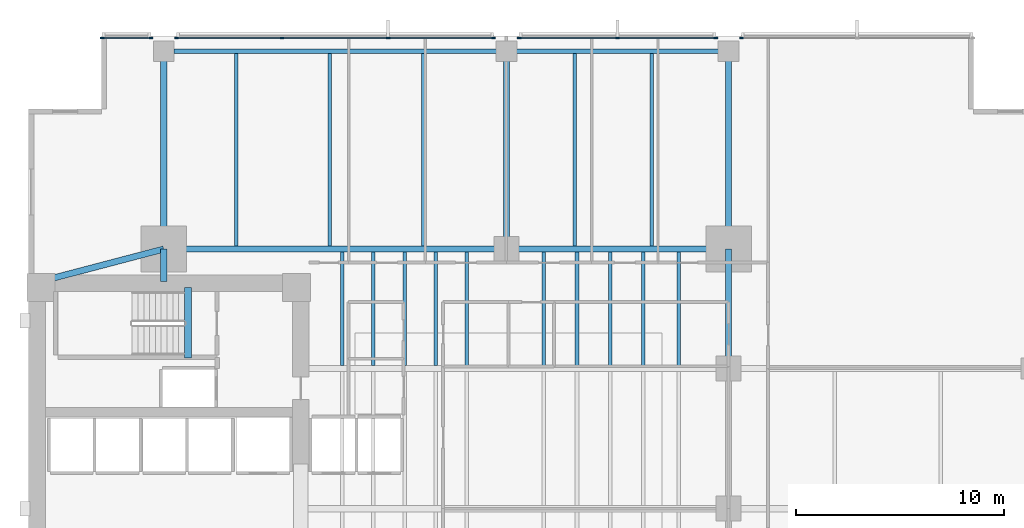
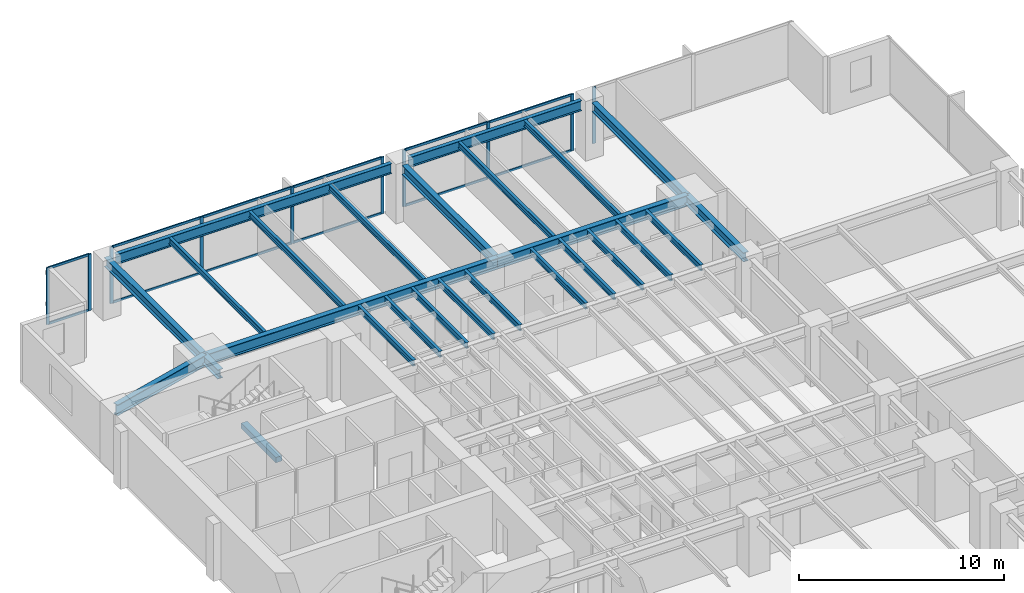
# One storey, part 5 of 15: 26 beams, 22 members, 4 elements without a shape of their own.
"""IFC4 building model written with IfcOpenShell, lengths in metres."""

from ifc_helpers import new_model, si_unit, direction, frame, origin, origin_2d, place, context, subcontext, project, spatial, rectangle, i_section, extrude, material, layer, layer_set, material_profile, profile_set, type_object, element, aggregate, save


model = new_model("IFC4")

# Units and contexts
model_context = context("Model", 3, precision=1e-05, world=origin(), true_north=direction((0.0, 1.0)))
body_context = subcontext(model_context, "Body", "Model", "MODEL_VIEW")
ifc_project = project(units=[si_unit("LENGTHUNIT", "METRE"), si_unit("AREAUNIT", "SQUARE_METRE"), si_unit("VOLUMEUNIT", "CUBIC_METRE"), si_unit("PLANEANGLEUNIT", "RADIAN"), si_unit("MASSUNIT", "GRAM", prefix="KILO")], contexts=[model_context])

# Site, building, storey
site_placement = place(None, origin())
site = spatial("IfcSite", under=ifc_project, at=site_placement, CompositionType="ELEMENT")
building_placement = place(site_placement, origin())
building = spatial("IfcBuilding", under=site, at=building_placement, Name="Kinhvarn Gate Tower", CompositionType="ELEMENT")
storey_placement = place(building_placement, frame((0.0, 0.0, 50.449951171875)))
storey = spatial("IfcBuildingStorey", under=building, at=storey_placement, Name="L12", CompositionType="ELEMENT", Elevation=50.449951171875)

# Beam
ifc_material_1 = material(Name="Concrete C50/60", Category="concrete")
ifc_material_profile_1 = material_profile(ifc_material_1, rectangle(XDim=0.340087890625, YDim=0.320068359375, at=origin_2d()), Name="RC 340x320")
ifc_profile_set_1 = profile_set([ifc_material_profile_1], Name="Concrete C50/60")
beam_type_1 = type_object("IfcBeamType", Name="BM-LND-500", PredefinedType="BEAM", material=ifc_profile_set_1)
beam_1_placement = place(storey_placement, frame((12.1650390625, 32.5, -0.159912109375), z_axis=(0.0, 1.0, 0.0), x_axis=(-1.0, 0.0, 0.0)))
element("IfcBeam", 1, at=beam_1_placement, inside=storey, type_object=beam_type_1, Name="Stair ST2 Landing Nosing Beam (L12)", PredefinedType="BEAM", context=body_context, shape_type="SweptSolid", body=[
    extrude(rectangle(XDim=0.340087890625, YDim=0.320068359375, at=origin_2d()), origin(), (0.0, 0.0, 1.0), 3.39990234375),
])

# Curtain wall, member
ifc_material_2 = material(Name="Anodised aluminium AW-6063", Category="aluminium")
ifc_layer = layer(ifc_material_2, 0.179931640625)
ifc_layer_set = layer_set([ifc_layer], Name="Anodised aluminium AW-6063")
curtain_wall_type = type_object("IfcCurtainWallType", Name="CW-SYS-2", PredefinedType="NOTDEFINED", material=ifc_layer_set)
curtain_wall_1_placement = place(storey_placement, origin())
curtain_wall_1 = element("IfcCurtainWall", 2, at=curtain_wall_1_placement, inside=storey, type_object=curtain_wall_type, Name="Curtain Wall CW2 (L12)", PredefinedType="NOTDEFINED")
ifc_material_profile_2 = material_profile(ifc_material_2, rectangle(XDim=0.070068359375, YDim=0.179931640625, at=origin_2d()), Name="ALU 70x180")
ifc_profile_set_2 = profile_set([ifc_material_profile_2], Name="Anodised aluminium AW-6063")
member_type_1 = type_object("IfcMemberType", Name="CW-MUL-180", PredefinedType="MULLION", material=ifc_profile_set_2)
member_1_placement = place(storey_placement, frame((38.81494140625, 47.909912109375, 0.0), z_axis=(0.0, 0.0, 1.0), x_axis=(0.0, -1.0, 0.0)))
member_1 = element("IfcMember", 3, at=member_1_placement, type_object=member_type_1, Name="CW2 mullion 3", PredefinedType="MULLION", context=body_context, shape_type="SweptSolid", body=[
    extrude(rectangle(XDim=0.070068359375, YDim=0.179931640625, at=origin_2d()), origin(), (0.0, 0.0, 1.0), 3.3701171875),
])
aggregate(curtain_wall_1, [member_1])

# Curtain wall, members
curtain_wall_2_placement = place(storey_placement, origin())
curtain_wall_2 = element("IfcCurtainWall", 4, at=curtain_wall_2_placement, inside=storey, type_object=curtain_wall_type, Name="Curtain Wall CW2 (L12)", PredefinedType="NOTDEFINED")
member_2_placement = place(storey_placement, frame((37.5849609375, 47.909912109375, 0.0), z_axis=(0.0, 0.0, 1.0), x_axis=(0.0, -1.0, 0.0)))
member_2 = element("IfcMember", 5, at=member_2_placement, type_object=member_type_1, Name="CW2 mullion 1", PredefinedType="MULLION", context=body_context, shape_type="SweptSolid", body=[
    extrude(rectangle(XDim=0.070068359375, YDim=0.179931640625, at=origin_2d()), origin(), (0.0, 0.0, 1.0), 3.3701171875),
])
member_3_placement = place(storey_placement, frame((32.85009765625, 47.909912109375, 0.0), z_axis=(0.0, 0.0, 1.0), x_axis=(0.0, -1.0, 0.0)))
member_3 = element("IfcMember", 6, at=member_3_placement, type_object=member_type_1, Name="CW2 mullion 2", PredefinedType="MULLION", context=body_context, shape_type="SweptSolid", body=[
    extrude(rectangle(XDim=0.070068359375, YDim=0.179931640625, at=origin_2d()), origin(), (0.0, 0.0, 1.0), 3.3701171875),
])
member_4_placement = place(storey_placement, frame((28.114990234375, 47.909912109375, 0.0), z_axis=(0.0, 0.0, 1.0), x_axis=(0.0, -1.0, 0.0)))
member_4 = element("IfcMember", 7, at=member_4_placement, type_object=member_type_1, Name="CW2 mullion 3", PredefinedType="MULLION", context=body_context, shape_type="SweptSolid", body=[
    extrude(rectangle(XDim=0.070068359375, YDim=0.179931640625, at=origin_2d()), origin(), (0.0, 0.0, 1.0), 3.3701171875),
])

curtain_wall_3_placement = place(storey_placement, origin())
curtain_wall_3 = element("IfcCurtainWall", 8, at=curtain_wall_3_placement, inside=storey, type_object=curtain_wall_type, Name="Curtain Wall CW2 (L12)", PredefinedType="NOTDEFINED")
member_5_placement = place(storey_placement, frame((26.885009765625, 47.909912109375, 0.0), z_axis=(0.0, 0.0, 1.0), x_axis=(0.0, -1.0, 0.0)))
member_5 = element("IfcMember", 9, at=member_5_placement, type_object=member_type_1, Name="CW2 mullion 1", PredefinedType="MULLION", context=body_context, shape_type="SweptSolid", body=[
    extrude(rectangle(XDim=0.070068359375, YDim=0.179931640625, at=origin_2d()), origin(), (0.0, 0.0, 1.0), 3.3701171875),
])
member_6_placement = place(storey_placement, frame((21.806640625, 47.909912109375, 0.0), z_axis=(0.0, 0.0, 1.0), x_axis=(0.0, -1.0, 0.0)))
member_6 = element("IfcMember", 10, at=member_6_placement, type_object=member_type_1, Name="CW2 mullion 2", PredefinedType="MULLION", context=body_context, shape_type="SweptSolid", body=[
    extrude(rectangle(XDim=0.070068359375, YDim=0.179931640625, at=origin_2d()), origin(), (0.0, 0.0, 1.0), 3.3701171875),
])
member_7_placement = place(storey_placement, frame((16.693359375, 47.909912109375, 0.0), z_axis=(0.0, 0.0, 1.0), x_axis=(0.0, -1.0, 0.0)))
member_7 = element("IfcMember", 11, at=member_7_placement, type_object=member_type_1, Name="CW2 mullion 3", PredefinedType="MULLION", context=body_context, shape_type="SweptSolid", body=[
    extrude(rectangle(XDim=0.070068359375, YDim=0.179931640625, at=origin_2d()), origin(), (0.0, 0.0, 1.0), 3.3701171875),
])
member_8_placement = place(storey_placement, frame((11.614990234375, 47.909912109375, 0.0), z_axis=(0.0, 0.0, 1.0), x_axis=(0.0, -1.0, 0.0)))
member_8 = element("IfcMember", 12, at=member_8_placement, type_object=member_type_1, Name="CW2 mullion 4", PredefinedType="MULLION", context=body_context, shape_type="SweptSolid", body=[
    extrude(rectangle(XDim=0.070068359375, YDim=0.179931640625, at=origin_2d()), origin(), (0.0, 0.0, 1.0), 3.3701171875),
])

curtain_wall_4_placement = place(storey_placement, origin())
curtain_wall_4 = element("IfcCurtainWall", 13, at=curtain_wall_4_placement, inside=storey, type_object=curtain_wall_type, Name="Curtain Wall CW2 (L12)", PredefinedType="NOTDEFINED")
member_9_placement = place(storey_placement, frame((10.385009765625, 47.909912109375, 0.0), z_axis=(0.0, 0.0, 1.0), x_axis=(0.0, -1.0, 0.0)))
member_9 = element("IfcMember", 14, at=member_9_placement, type_object=member_type_1, Name="CW2 mullion 1", PredefinedType="MULLION", context=body_context, shape_type="SweptSolid", body=[
    extrude(rectangle(XDim=0.070068359375, YDim=0.179931640625, at=origin_2d()), origin(), (0.0, 0.0, 1.0), 3.3701171875),
])
member_10_placement = place(storey_placement, frame((8.034912109375, 47.909912109375, 0.0), z_axis=(0.0, 0.0, 1.0), x_axis=(0.0, -1.0, 0.0)))
member_10 = element("IfcMember", 15, at=member_10_placement, type_object=member_type_1, Name="CW2 mullion 2", PredefinedType="MULLION", context=body_context, shape_type="SweptSolid", body=[
    extrude(rectangle(XDim=0.070068359375, YDim=0.179931640625, at=origin_2d()), origin(), (0.0, 0.0, 1.0), 3.3701171875),
])

# Member
ifc_material_profile_3 = material_profile(ifc_material_2, rectangle(XDim=0.070068359375, YDim=0.139892578125, at=origin_2d()), Name="ALU 70x140")
ifc_profile_set_3 = profile_set([ifc_material_profile_3], Name="Anodised aluminium AW-6063")
member_type_2 = type_object("IfcMemberType", Name="CW-TRN-140", PredefinedType="USERDEFINED", material=ifc_profile_set_3)
member_11_placement = place(storey_placement, frame((37.550048828125, 47.909912109375, 0.03515625), z_axis=(-1.0, 0.0, 0.0), x_axis=(0.0, -1.0, 0.0)))
member_11 = element("IfcMember", 16, at=member_11_placement, type_object=member_type_2, Name="CW2 transom 1.1", ObjectType="TRANSOM", PredefinedType="USERDEFINED", context=body_context, shape_type="SweptSolid", body=[
    extrude(rectangle(XDim=0.070068359375, YDim=0.139892578125, at=origin_2d()), origin(), (0.0, 0.0, 1.0), 4.6650390625),
])

member_12_placement = place(storey_placement, frame((37.550048828125, 47.909912109375, 3.3349609375), z_axis=(-1.0, 0.0, 0.0), x_axis=(0.0, -1.0, 0.0)))
member_12 = element("IfcMember", 17, at=member_12_placement, type_object=member_type_2, Name="CW2 transom 1.2", ObjectType="TRANSOM", PredefinedType="USERDEFINED", context=body_context, shape_type="SweptSolid", body=[
    extrude(rectangle(XDim=0.070068359375, YDim=0.139892578125, at=origin_2d()), origin(), (0.0, 0.0, 1.0), 4.6650390625),
])

member_13_placement = place(storey_placement, frame((32.81494140625, 47.909912109375, 0.03515625), z_axis=(-1.0, 0.0, 0.0), x_axis=(0.0, -1.0, 0.0)))
member_13 = element("IfcMember", 18, at=member_13_placement, type_object=member_type_2, Name="CW2 transom 2.1", ObjectType="TRANSOM", PredefinedType="USERDEFINED", context=body_context, shape_type="SweptSolid", body=[
    extrude(rectangle(XDim=0.070068359375, YDim=0.139892578125, at=origin_2d()), origin(), (0.0, 0.0, 1.0), 4.6650390625),
])

member_14_placement = place(storey_placement, frame((32.81494140625, 47.909912109375, 3.3349609375), z_axis=(-1.0, 0.0, 0.0), x_axis=(0.0, -1.0, 0.0)))
member_14 = element("IfcMember", 19, at=member_14_placement, type_object=member_type_2, Name="CW2 transom 2.2", ObjectType="TRANSOM", PredefinedType="USERDEFINED", context=body_context, shape_type="SweptSolid", body=[
    extrude(rectangle(XDim=0.070068359375, YDim=0.139892578125, at=origin_2d()), origin(), (0.0, 0.0, 1.0), 4.6650390625),
])

aggregate(curtain_wall_2, [member_2, member_3, member_4, member_11, member_12, member_13, member_14])

member_15_placement = place(storey_placement, frame((26.85009765625, 47.909912109375, 0.03515625), z_axis=(-1.0, 0.0, 0.0), x_axis=(0.0, -1.0, 0.0)))
member_15 = element("IfcMember", 20, at=member_15_placement, type_object=member_type_2, Name="CW2 transom 1.1", ObjectType="TRANSOM", PredefinedType="USERDEFINED", context=body_context, shape_type="SweptSolid", body=[
    extrude(rectangle(XDim=0.070068359375, YDim=0.139892578125, at=origin_2d()), origin(), (0.0, 0.0, 1.0), 5.008544921875),
])

member_16_placement = place(storey_placement, frame((26.85009765625, 47.909912109375, 3.3349609375), z_axis=(-1.0, 0.0, 0.0), x_axis=(0.0, -1.0, 0.0)))
member_16 = element("IfcMember", 21, at=member_16_placement, type_object=member_type_2, Name="CW2 transom 1.2", ObjectType="TRANSOM", PredefinedType="USERDEFINED", context=body_context, shape_type="SweptSolid", body=[
    extrude(rectangle(XDim=0.070068359375, YDim=0.139892578125, at=origin_2d()), origin(), (0.0, 0.0, 1.0), 5.008544921875),
])

member_17_placement = place(storey_placement, frame((21.771728515625, 47.909912109375, 0.03515625), z_axis=(-1.0, 0.0, 0.0), x_axis=(0.0, -1.0, 0.0)))
member_17 = element("IfcMember", 22, at=member_17_placement, type_object=member_type_2, Name="CW2 transom 2.1", ObjectType="TRANSOM", PredefinedType="USERDEFINED", context=body_context, shape_type="SweptSolid", body=[
    extrude(rectangle(XDim=0.070068359375, YDim=0.139892578125, at=origin_2d()), origin(), (0.0, 0.0, 1.0), 5.04345703125),
])

member_18_placement = place(storey_placement, frame((21.771728515625, 47.909912109375, 3.3349609375), z_axis=(-1.0, 0.0, 0.0), x_axis=(0.0, -1.0, 0.0)))
member_18 = element("IfcMember", 23, at=member_18_placement, type_object=member_type_2, Name="CW2 transom 2.2", ObjectType="TRANSOM", PredefinedType="USERDEFINED", context=body_context, shape_type="SweptSolid", body=[
    extrude(rectangle(XDim=0.070068359375, YDim=0.139892578125, at=origin_2d()), origin(), (0.0, 0.0, 1.0), 5.04345703125),
])

member_19_placement = place(storey_placement, frame((16.658447265625, 47.909912109375, 0.03515625), z_axis=(-1.0, 0.0, 0.0), x_axis=(0.0, -1.0, 0.0)))
member_19 = element("IfcMember", 24, at=member_19_placement, type_object=member_type_2, Name="CW2 transom 3.1", ObjectType="TRANSOM", PredefinedType="USERDEFINED", context=body_context, shape_type="SweptSolid", body=[
    extrude(rectangle(XDim=0.070068359375, YDim=0.139892578125, at=origin_2d()), origin(), (0.0, 0.0, 1.0), 5.008544921875),
])

member_20_placement = place(storey_placement, frame((16.658447265625, 47.909912109375, 3.3349609375), z_axis=(-1.0, 0.0, 0.0), x_axis=(0.0, -1.0, 0.0)))
member_20 = element("IfcMember", 25, at=member_20_placement, type_object=member_type_2, Name="CW2 transom 3.2", ObjectType="TRANSOM", PredefinedType="USERDEFINED", context=body_context, shape_type="SweptSolid", body=[
    extrude(rectangle(XDim=0.070068359375, YDim=0.139892578125, at=origin_2d()), origin(), (0.0, 0.0, 1.0), 5.008544921875),
])

aggregate(curtain_wall_3, [member_5, member_6, member_7, member_8, member_15, member_16, member_17, member_18, member_19, member_20])

member_21_placement = place(storey_placement, frame((10.35009765625, 47.909912109375, 0.03515625), z_axis=(-1.0, 0.0, 0.0), x_axis=(0.0, -1.0, 0.0)))
member_21 = element("IfcMember", 26, at=member_21_placement, type_object=member_type_2, Name="CW2 transom 1.1", ObjectType="TRANSOM", PredefinedType="USERDEFINED", context=body_context, shape_type="SweptSolid", body=[
    extrude(rectangle(XDim=0.070068359375, YDim=0.139892578125, at=origin_2d()), origin(), (0.0, 0.0, 1.0), 2.280029296875),
])

member_22_placement = place(storey_placement, frame((10.35009765625, 47.909912109375, 3.3349609375), z_axis=(-1.0, 0.0, 0.0), x_axis=(0.0, -1.0, 0.0)))
member_22 = element("IfcMember", 27, at=member_22_placement, type_object=member_type_2, Name="CW2 transom 1.2", ObjectType="TRANSOM", PredefinedType="USERDEFINED", context=body_context, shape_type="SweptSolid", body=[
    extrude(rectangle(XDim=0.070068359375, YDim=0.139892578125, at=origin_2d()), origin(), (0.0, 0.0, 1.0), 2.280029296875),
])

aggregate(curtain_wall_4, [member_9, member_10, member_21, member_22])

# Beams
ifc_material_3 = material(Name="Steel S355", Category="steel")
ifc_material_profile_4 = material_profile(ifc_material_3, i_section(OverallWidth=0.300048828125, OverallDepth=0.550048828125, WebThickness=0.014892578125, FlangeThickness=0.029052734375, at=origin_2d()), Name="HEB 550")
ifc_profile_set_4 = profile_set([ifc_material_profile_4], Name="Steel S355")
beam_type_2 = type_object("IfcBeamType", Name="STL-HEB550", PredefinedType="BEAM", material=ifc_profile_set_4)
beam_2_placement = place(storey_placement, frame((11.0, 36.199951171875, 3.094970703125), z_axis=(0.0, 1.0, 0.0), x_axis=(-1.0, 0.0, 0.0)))
element("IfcBeam", 28, at=beam_2_placement, inside=storey, type_object=beam_type_2, Name="Floor Beam PG-15 (L12 MCW-CN)", PredefinedType="BEAM", context=body_context, shape_type="SweptSolid", body=[
    extrude(i_section(OverallWidth=0.300048828125, OverallDepth=0.550048828125, WebThickness=0.014892578125, FlangeThickness=0.029052734375, at=origin_2d()), origin(), (0.0, 0.0, 1.0), 1.550048828125),
])
beam_3_placement = place(storey_placement, frame((11.0, 37.75, 3.094970703125), z_axis=(0.0, 1.0, 0.0), x_axis=(-1.0, 0.0, 0.0)))
element("IfcBeam", 29, at=beam_3_placement, inside=storey, type_object=beam_type_2, Name="Floor Beam PG-15 (L12 MCW-N)", PredefinedType="BEAM", context=body_context, shape_type="SweptSolid", body=[
    extrude(i_section(OverallWidth=0.300048828125, OverallDepth=0.550048828125, WebThickness=0.014892578125, FlangeThickness=0.029052734375, at=origin_2d()), origin(), (0.0, 0.0, 1.0), 9.530029296875),
])
for number, where, z_axis, x_axis, name in (
    (30, (27.5, 37.75, 3.094970703125), (0.0, 1.0, 0.0), (-1.0, 0.0, 0.0), "Floor Beam PG-15 (L12 SP27-N-TIE)"),
    (31, (38.199951171875, 37.75, 3.094970703125), (0.0, 1.0, 0.0), (-1.0, 0.0, 0.0), "Floor Beam PG-15 (L12 MCE-N)"),
):
    element("IfcBeam", number, at=place(storey_placement, frame(where, z_axis=z_axis, x_axis=x_axis)), inside=storey, type_object=beam_type_2, Name=name, PredefinedType="BEAM", context=body_context, shape_type="SweptSolid", body=[
        extrude(i_section(OverallWidth=0.300048828125, OverallDepth=0.550048828125, WebThickness=0.014892578125, FlangeThickness=0.029052734375, at=origin_2d()), origin(), (0.0, 0.0, 1.0), 9.044921875),
    ])
beam_4_placement = place(storey_placement, frame((38.199951171875, 32.0, 3.094970703125), z_axis=(0.0, 1.0, 0.0), x_axis=(-1.0, 0.0, 0.0)))
element("IfcBeam", 32, at=beam_4_placement, inside=storey, type_object=beam_type_2, Name="Floor Beam PG-15 (L12 MG-E-32)", PredefinedType="BEAM", context=body_context, shape_type="SweptSolid", body=[
    extrude(i_section(OverallWidth=0.300048828125, OverallDepth=0.550048828125, WebThickness=0.014892578125, FlangeThickness=0.029052734375, at=origin_2d()), origin(), (0.0, 0.0, 1.0), 5.75),
])
ifc_material_profile_5 = material_profile(ifc_material_3, i_section(OverallWidth=0.300048828125, OverallDepth=0.64990234375, WebThickness=0.01611328125, FlangeThickness=0.031005859375, at=origin_2d()), Name="HEB 650")
ifc_profile_set_5 = profile_set([ifc_material_profile_5], Name="Steel S355")
beam_type_3 = type_object("IfcBeamType", Name="STL-HEB650", PredefinedType="BEAM", material=ifc_profile_set_5)
beam_5_placement = place(storey_placement, frame((11.0, 37.75, 3.045166015625), z_axis=(1.0, 0.0, 0.0), x_axis=(0.0, 1.0, 0.0)))
element("IfcBeam", 33, at=beam_5_placement, inside=storey, type_object=beam_type_3, Name="Floor Beam PG-17 (L12 MG-N1)", PredefinedType="BEAM", context=body_context, shape_type="SweptSolid", body=[
    extrude(i_section(OverallWidth=0.300048828125, OverallDepth=0.64990234375, WebThickness=0.01611328125, FlangeThickness=0.031005859375, at=origin_2d()), origin(), (0.0, 0.0, 1.0), 16.5),
])
beam_6_placement = place(storey_placement, frame((27.5, 37.75, 3.045166015625), z_axis=(1.0, 0.0, 0.0), x_axis=(0.0, 1.0, 0.0)))
element("IfcBeam", 34, at=beam_6_placement, inside=storey, type_object=beam_type_3, Name="Floor Beam PG-17 (L12 MG-N2)", PredefinedType="BEAM", context=body_context, shape_type="SweptSolid", body=[
    extrude(i_section(OverallWidth=0.300048828125, OverallDepth=0.64990234375, WebThickness=0.01611328125, FlangeThickness=0.031005859375, at=origin_2d()), origin(), (0.0, 0.0, 1.0), 10.699951171875),
])
beam_7_placement = place(storey_placement, frame((5.10009765625, 36.199951171875, 3.045166015625), z_axis=(0.967177623957, 0.254101246979, 0.0), x_axis=(-0.254101246979, 0.967177623957, 0.0)))
element("IfcBeam", 35, at=beam_7_placement, inside=storey, type_object=beam_type_3, Name="Floor Beam PG-17 (L12 MG-NW-DIAG)", PredefinedType="BEAM", context=body_context, shape_type="SweptSolid", body=[
    extrude(i_section(OverallWidth=0.300048828125, OverallDepth=0.64990234375, WebThickness=0.01611328125, FlangeThickness=0.031005859375, at=origin_2d()), origin(), (0.0, 0.0, 1.0), 6.10009765625),
])
ifc_material_profile_6 = material_profile(ifc_material_3, i_section(OverallWidth=0.169921875, OverallDepth=0.360107421875, WebThickness=0.008056640625, FlangeThickness=0.0126953125, at=origin_2d()), Name="IPE 360")
ifc_profile_set_6 = profile_set([ifc_material_profile_6], Name="Steel S355")
beam_type_4 = type_object("IfcBeamType", Name="STL-IPE360", PredefinedType="JOIST", material=ifc_profile_set_6)
for number, where, z_axis, x_axis, name in (
    (36, (19.60009765625, 32.14990234375, 3.18994140625), (0.0, 1.0, 0.0), (-1.0, 0.0, 0.0), "Floor Joist SB-04 (L12 JC-X196-3)"),
    (37, (21.10009765625, 32.14990234375, 3.18994140625), (0.0, 1.0, 0.0), (-1.0, 0.0, 0.0), "Floor Joist SB-04 (L12 JC-X211-3)"),
    (38, (22.60009765625, 32.14990234375, 3.18994140625), (0.0, 1.0, 0.0), (-1.0, 0.0, 0.0), "Floor Joist SB-04 (L12 JC-X226-3)"),
    (39, (24.10009765625, 32.14990234375, 3.18994140625), (0.0, 1.0, 0.0), (-1.0, 0.0, 0.0), "Floor Joist SB-04 (L12 JC-X241-3)"),
    (40, (25.60009765625, 32.14990234375, 3.18994140625), (0.0, 1.0, 0.0), (-1.0, 0.0, 0.0), "Floor Joist SB-04 (L12 JC-X256-3)"),
    (41, (29.300048828125, 32.14990234375, 3.18994140625), (0.0, 1.0, 0.0), (-1.0, 0.0, 0.0), "Floor Joist SB-04 (L12 JC-X293-3)"),
    (42, (30.89990234375, 32.14990234375, 3.18994140625), (0.0, 1.0, 0.0), (-1.0, 0.0, 0.0), "Floor Joist SB-04 (L12 JC-X309-3)"),
    (43, (32.5, 32.14990234375, 3.18994140625), (0.0, 1.0, 0.0), (-1.0, 0.0, 0.0), "Floor Joist SB-04 (L12 JC-X325-3)"),
    (44, (34.10009765625, 32.14990234375, 3.18994140625), (0.0, 1.0, 0.0), (-1.0, 0.0, 0.0), "Floor Joist SB-04 (L12 JC-X341-3)"),
    (45, (35.800048828125, 32.14990234375, 3.18994140625), (0.0, 1.0, 0.0), (-1.0, 0.0, 0.0), "Floor Joist SB-04 (L12 JC-X358-3)"),
):
    element("IfcBeam", number, at=place(storey_placement, frame(where, z_axis=z_axis, x_axis=x_axis)), inside=storey, type_object=beam_type_4, Name=name, PredefinedType="JOIST", context=body_context, shape_type="SweptSolid", body=[
        extrude(i_section(OverallWidth=0.169921875, OverallDepth=0.360107421875, WebThickness=0.008056640625, FlangeThickness=0.0126953125, at=origin_2d()), origin(), (0.0, 0.0, 1.0), 5.4501953125),
    ])
for number, where, z_axis, x_axis, name in (
    (46, (14.5, 37.89990234375, 3.18994140625), (0.0, 1.0, 0.0), (-1.0, 0.0, 0.0), "Floor Joist SB-04 (L12 JN-X145)"),
    (47, (19.0, 37.89990234375, 3.18994140625), (0.0, 1.0, 0.0), (-1.0, 0.0, 0.0), "Floor Joist SB-04 (L12 JN-X190)"),
    (48, (23.5, 37.89990234375, 3.18994140625), (0.0, 1.0, 0.0), (-1.0, 0.0, 0.0), "Floor Joist SB-04 (L12 JN-X235)"),
    (49, (30.800048828125, 37.89990234375, 3.18994140625), (0.0, 1.0, 0.0), (-1.0, 0.0, 0.0), "Floor Joist SB-04 (L12 JN-X308)"),
    (50, (34.5, 37.89990234375, 3.18994140625), (0.0, 1.0, 0.0), (-1.0, 0.0, 0.0), "Floor Joist SB-04 (L12 JN-X345)"),
):
    element("IfcBeam", number, at=place(storey_placement, frame(where, z_axis=z_axis, x_axis=x_axis)), inside=storey, type_object=beam_type_4, Name=name, PredefinedType="JOIST", context=body_context, shape_type="SweptSolid", body=[
        extrude(i_section(OverallWidth=0.169921875, OverallDepth=0.360107421875, WebThickness=0.008056640625, FlangeThickness=0.0126953125, at=origin_2d()), origin(), (0.0, 0.0, 1.0), 9.27001953125),
    ])
ifc_material_profile_7 = material_profile(ifc_material_3, i_section(OverallWidth=0.219970703125, OverallDepth=0.60009765625, WebThickness=0.011962890625, FlangeThickness=0.01904296875, at=origin_2d()), Name="IPE 600")
ifc_profile_set_7 = profile_set([ifc_material_profile_7], Name="Steel S355")
beam_type_5 = type_object("IfcBeamType", Name="STL-IPE600", PredefinedType="SPANDREL", material=ifc_profile_set_7)
beam_8_placement = place(storey_placement, frame((11.485107421875, 47.280029296875, 3.070068359375), z_axis=(1.0, 0.0, 0.0), x_axis=(0.0, 1.0, 0.0)))
element("IfcBeam", 51, at=beam_8_placement, inside=storey, type_object=beam_type_5, Name="Floor Spandrel SB-09 (L12 SP-N1)", PredefinedType="SPANDREL", context=body_context, shape_type="SweptSolid", body=[
    extrude(i_section(OverallWidth=0.219970703125, OverallDepth=0.60009765625, WebThickness=0.011962890625, FlangeThickness=0.01904296875, at=origin_2d()), origin(), (0.0, 0.0, 1.0), 15.52978515625),
])
beam_9_placement = place(storey_placement, frame((27.985107421875, 47.280029296875, 3.070068359375), z_axis=(1.0, 0.0, 0.0), x_axis=(0.0, 1.0, 0.0)))
element("IfcBeam", 52, at=beam_9_placement, inside=storey, type_object=beam_type_5, Name="Floor Spandrel SB-09 (L12 SP-N2)", PredefinedType="SPANDREL", context=body_context, shape_type="SweptSolid", body=[
    extrude(i_section(OverallWidth=0.219970703125, OverallDepth=0.60009765625, WebThickness=0.011962890625, FlangeThickness=0.01904296875, at=origin_2d()), origin(), (0.0, 0.0, 1.0), 9.72998046875),
])

save(model, "model.ifc")
